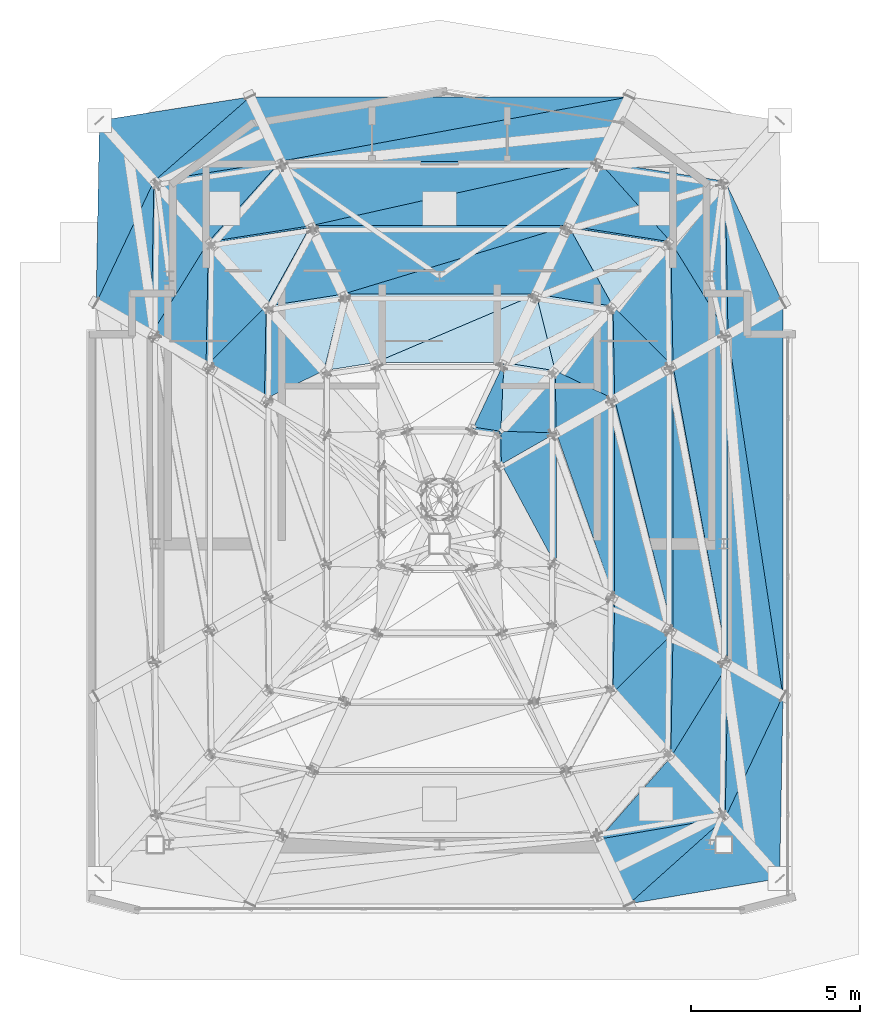
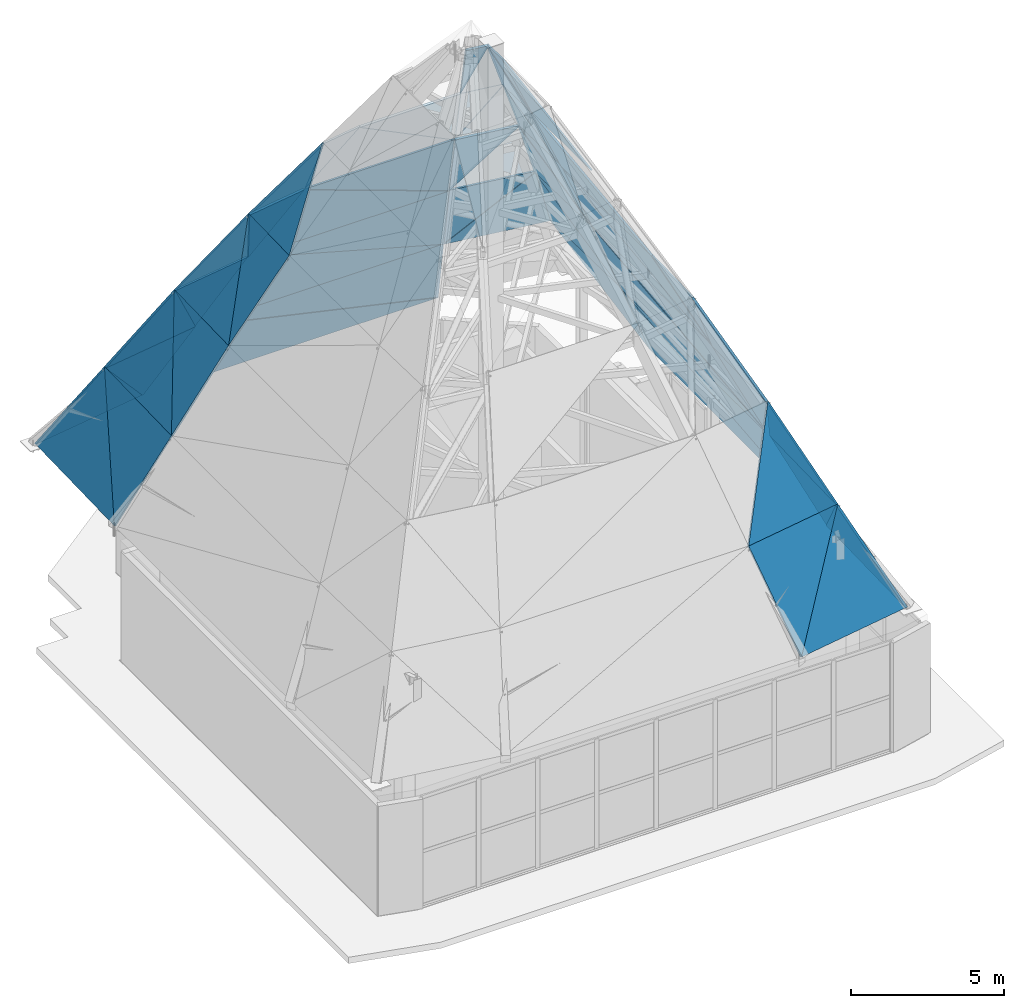
# One storey, part 28 of 30: 57 roofs.
"""IFC4 building model written with IfcOpenShell, lengths in metres."""

import ifcopenshell
import ifcopenshell.guid

model = None  # the IFC model being written
_history = None  # IfcOwnerHistory: only IFC2X3 demands one
_inside = {}  # id of a spatial element -> (the spatial element, [elements in it])
_under = {}  # id of a project, library or spatial element -> (it, [spatial elements below it])
_declared = {}  # id of a project -> (the project, [libraries it declares])
_typed = {}  # id of a type object -> (the type object, [elements of that type])
_made_of = {}  # id of a material, layer set ... -> (it, [elements and type objects made of it])


def new_model(schema):
    """Start an empty IFC model of exactly this schema.

    Asked for "IFC4X3", IfcOpenShell would pick the latest addendum, in which some entities
    have other attributes; the version numbers below select the first issue.
    IFC2X3 requires an IfcOwnerHistory on every rooted entity: one is made here for all.
    """
    global model, _history
    if schema == "IFC4X3":
        model = ifcopenshell.file(schema_version=(4, 3, 0, 0))
    else:
        model = ifcopenshell.file(schema=schema)
    _inside.clear()
    _under.clear()
    _declared.clear()
    _typed.clear()
    _made_of.clear()
    _history = None
    if model.schema == "IFC2X3":
        org = make("IfcOrganization", Name="unknown")
        user = make(
            "IfcPersonAndOrganization",
            ThePerson=make("IfcPerson", FamilyName="unknown"),
            TheOrganization=org,
        )
        app = make(
            "IfcApplication",
            ApplicationDeveloper=org,
            Version="unknown",
            ApplicationFullName="unknown",
            ApplicationIdentifier="unknown",
        )
        _history = make(
            "IfcOwnerHistory",
            OwningUser=user,
            OwningApplication=app,
            ChangeAction="ADDED",
            CreationDate=0,
        )
    return model


def make(cls, **values):
    """One entity of the class cls with the attributes given. An attribute that is None is left unset."""
    return model.create_entity(
        cls, **{name: value for name, value in values.items() if value is not None}
    )


def rooted(cls, **values):
    """An entity with a GlobalId (a new one), such as an element, a storey or a relation."""
    return make(cls, GlobalId=ifcopenshell.guid.new(), OwnerHistory=_history, **values)


def si_unit(unit_type, name, prefix=None):
    """IfcSIUnit, for example si_unit("LENGTHUNIT", "METRE", prefix="MILLI")."""
    return make("IfcSIUnit", UnitType=unit_type, Prefix=prefix, Name=name)


def assignment(units):
    """IfcUnitAssignment: the units of a project."""
    return None if units is None else make("IfcUnitAssignment", Units=units)


def point(xyz):
    """IfcCartesianPoint."""
    return None if xyz is None else make("IfcCartesianPoint", Coordinates=xyz)


def direction(xyz):
    """IfcDirection."""
    return None if xyz is None else make("IfcDirection", DirectionRatios=xyz)


def frame(location, z_axis=None, x_axis=None):
    """IfcAxis2Placement3D, a coordinate frame: its origin and axes. An axis left out is left unset."""
    return make(
        "IfcAxis2Placement3D",
        Location=point(location),
        Axis=direction(z_axis),
        RefDirection=direction(x_axis),
    )


def origin():
    """The frame at (0, 0, 0) with its axes left unset."""
    return frame((0.0, 0.0, 0.0))


def place(relative_to, where):
    """IfcLocalPlacement: puts the frame where relative to a parent placement (None: the world)."""
    return make(
        "IfcLocalPlacement", PlacementRelTo=relative_to, RelativePlacement=where
    )


def context(
    kind, dimensions, precision=None, world=None, true_north=None, identifier=None
):
    """IfcGeometricRepresentationContext, for example the 3D "Model" context."""
    return make(
        "IfcGeometricRepresentationContext",
        ContextIdentifier=identifier,
        ContextType=kind,
        CoordinateSpaceDimension=dimensions,
        Precision=precision,
        WorldCoordinateSystem=world,
        TrueNorth=true_north,
    )


def subcontext(parent, identifier, kind, view, scale=None):
    """IfcGeometricRepresentationSubContext, for example "Body" below "Model"."""
    return make(
        "IfcGeometricRepresentationSubContext",
        ContextIdentifier=identifier,
        ContextType=kind,
        ParentContext=parent,
        TargetScale=scale,
        TargetView=view,
    )


def project(units=None, contexts=None):
    """IfcProject with its units and contexts."""
    return rooted(
        "IfcProject",
        Name="project",
        RepresentationContexts=contexts,
        UnitsInContext=assignment(units),
    )


def spatial(cls, under=None, at=None, **own):
    """A site, building, storey or space (cls), placed at a placement, below another one or the project."""
    s = rooted(cls, ObjectPlacement=at, **own)
    if under is not None:
        _under.setdefault(under.id(), (under, []))[1].append(s)
    return s


def polyline(points):
    """IfcPolyline through the points."""
    return make("IfcPolyline", Points=[point(p) for p in points])


def outline(outer, holes=None, kind="AREA"):
    """IfcArbitraryClosedProfileDef: a profile drawn as a closed curve; with holes, ...WithVoids."""
    if holes is None:
        return make("IfcArbitraryClosedProfileDef", ProfileType=kind, OuterCurve=outer)
    return make(
        "IfcArbitraryProfileDefWithVoids",
        ProfileType=kind,
        OuterCurve=outer,
        InnerCurves=holes,
    )


def extrude(swept, where, along, depth):
    """IfcExtrudedAreaSolid: the profile swept, set in the frame where, extruded along a direction by depth."""
    return make(
        "IfcExtrudedAreaSolid",
        SweptArea=swept,
        Position=where,
        ExtrudedDirection=direction(along),
        Depth=depth,
    )


def shape(context_of_items, identifier, shape_type, items):
    """IfcShapeRepresentation: the items that make up one representation, for example the "Body"."""
    return make(
        "IfcShapeRepresentation",
        ContextOfItems=context_of_items,
        RepresentationIdentifier=identifier,
        RepresentationType=shape_type,
        Items=items,
    )


def material(Name=None, Category=None):
    """IfcMaterial."""
    return make("IfcMaterial", Name=Name, Category=Category)


def layer(
    of_material, thickness, ventilated=None, Name=None, Category=None, Priority=None
):
    """IfcMaterialLayer: one layer of a wall or slab, of a material (None: an air gap)."""
    return make(
        "IfcMaterialLayer",
        Material=of_material,
        LayerThickness=thickness,
        IsVentilated=ventilated,
        Name=Name,
        Category=Category,
        Priority=Priority,
    )


def layer_set(layers, Name=None):
    """IfcMaterialLayerSet."""
    return make("IfcMaterialLayerSet", MaterialLayers=layers, LayerSetName=Name)


def made_of(thing, what):
    """Note that an element or type object is made of a material, layer set ...; save() writes the relation."""
    if what is not None:
        _made_of.setdefault(what.id(), (what, []))[1].append(thing)
    return thing


def type_object(cls, material=None, **own):
    """A type object (cls), such as IfcWallType, which elements share."""
    return made_of(rooted(cls, **own), material)


def element(
    cls,
    number,
    at=None,
    inside=None,
    cuts=None,
    type_object=None,
    material=None,
    context=None,
    identifier="Body",
    shape_type=None,
    held_by="IfcProductDefinitionShape",
    body=None,
    shapes=None,
    **own,
):
    """One element of the class cls, such as IfcWall. Its Tag is "e" and its number.

    at: its placement. inside: the storey or other place that contains it. cuts: it is an
    opening in that element (IfcRelVoidsElement). A single representation is given by context,
    identifier, shape_type and body (its items); several are given by shapes. held_by: the class
    of the entity that holds the representations. save() writes the other relations.
    """
    e = rooted(cls, Tag="e%d" % number, ObjectPlacement=at, **own)
    if body is not None:
        shapes = [shape(context, identifier, shape_type, body)]
    if shapes is not None:
        e.Representation = make(held_by, Representations=shapes)
    if inside is not None:
        _inside.setdefault(inside.id(), (inside, []))[1].append(e)
    if cuts is not None:
        rooted(
            "IfcRelVoidsElement", RelatingBuildingElement=cuts, RelatedOpeningElement=e
        )
    if type_object is not None:
        _typed.setdefault(type_object.id(), (type_object, []))[1].append(e)
    return made_of(e, material)


def aggregate(whole, parts):
    """IfcRelAggregates: a whole, such as a stair, and the parts it consists of."""
    return rooted("IfcRelAggregates", RelatingObject=whole, RelatedObjects=parts)


def save(model, path):
    """Write the relations noted so far, then the file.

    IfcRelAggregates (storeys below a building ...), IfcRelContainedInSpatialStructure (elements
    in a storey), IfcRelDefinesByType, IfcRelAssociatesMaterial and IfcRelDeclares: one each for
    every whole, place, type object, material and project.
    """
    for whole, parts in _under.values():
        aggregate(whole, parts)
    for where, things in _inside.values():
        rooted(
            "IfcRelContainedInSpatialStructure",
            RelatedElements=things,
            RelatingStructure=where,
        )
    for kind, things in _typed.values():
        rooted("IfcRelDefinesByType", RelatedObjects=things, RelatingType=kind)
    for what, things in _made_of.values():
        rooted("IfcRelAssociatesMaterial", RelatedObjects=things, RelatingMaterial=what)
    for by, libraries in _declared.values():
        rooted("IfcRelDeclares", RelatingContext=by, RelatedDefinitions=libraries)
    model.write(path)


model = new_model("IFC4")

# Units and contexts
model_context = context("Model", 3, precision=1e-05, world=origin(), true_north=direction((0.0, 1.0)))
body_context = subcontext(model_context, "Body", "Model", "MODEL_VIEW")
ifc_project = project(units=[si_unit("LENGTHUNIT", "METRE"), si_unit("AREAUNIT", "SQUARE_METRE"), si_unit("VOLUMEUNIT", "CUBIC_METRE"), si_unit("PLANEANGLEUNIT", "RADIAN"), si_unit("MASSUNIT", "GRAM", prefix="KILO")], contexts=[model_context])

# Site, building, storey
site_placement = place(None, origin())
site = spatial("IfcSite", under=ifc_project, at=site_placement, CompositionType="ELEMENT")
building_placement = place(site_placement, origin())
building = spatial("IfcBuilding", under=site, at=building_placement, Name="Haolan Belvedere Tower", CompositionType="ELEMENT")
storey_placement = place(building_placement, frame((0.0, 0.0, 333.0)))
storey = spatial("IfcBuildingStorey", under=building, at=storey_placement, Name="L83", CompositionType="ELEMENT", Elevation=333.0)

# Roofs
ifc_material_1 = material(Name="Double Low-E fritted laminated crown glazing", Category="glass")
ifc_layer_1 = layer(ifc_material_1, 0.06005859375, Name="Double Low-E fritted laminated crown glazing")
ifc_layer_set_1 = layer_set([ifc_layer_1], Name="Double Low-E fritted laminated crown glazing")
roof_type_1 = type_object("IfcRoofType", Name="ROOF-CRN-GLZ", PredefinedType="GABLE_ROOF", material=ifc_layer_set_1)
roof_1_placement = place(storey_placement, frame((44.0, 24.64990234375, 4.800048828125), z_axis=(0.144691980462, -0.858496330688, 0.491984025132), x_axis=(0.986092537414, 0.166197195092, 0.0)))
element("IfcRoof", 1, at=roof_1_placement, inside=storey, type_object=roof_type_1, Name="Crown glass-point glazed facet T1-03.1", PredefinedType="GABLE_ROOF", context=body_context, shape_type="SweptSolid", body=[
    extrude(outline(polyline([(0.0, 0.0), (4.512711538761556, 0.0), (3.2249874080398793, 4.134890925737667), (0.0, 0.0)])), origin(), (0.0, 0.0, -1.0), 0.06005859375),
])
roof_2_placement = place(storey_placement, frame((48.550048828125, 30.800048828125, 4.800048828125), z_axis=(0.909769531559, -0.016843956881, 0.414771841576), x_axis=(-0.400322326552, 0.228747017923, 0.887365108991)))
element("IfcRoof", 2, at=roof_2_placement, inside=storey, type_object=roof_type_1, Name="Crown glass-point glazed facet T1-04.2", PredefinedType="GABLE_ROOF", context=body_context, shape_type="SweptSolid", body=[
    extrude(outline(polyline([(0.0, 0.0), (4.056789566266479, 1.1102230246251565e-16), (3.0527835328980055, 4.424423821566261), (0.0, 0.0)])), origin(), (0.0, 0.0, -1.0), 0.06005859375),
])
roof_3_placement = place(storey_placement, frame((48.550048828125, 30.800048828125, 4.800048828125), z_axis=(0.911533600006, 0.0, 0.41122560239), x_axis=(0.0, 1.0, 0.0)))
element("IfcRoof", 3, at=roof_3_placement, inside=storey, type_object=roof_type_1, Name="Crown glass-point glazed facet T1-05.1", PredefinedType="GABLE_ROOF", context=body_context, shape_type="SweptSolid", body=[
    extrude(outline(polyline([(0.0, 0.0), (11.599853515625, 0.0), (10.671875, 3.949227450971518), (0.0, 0.0)])), origin(), (0.0, 0.0, -1.0), 0.06005859375),
])
roof_4_placement = place(storey_placement, frame((48.550048828125, 42.39990234375, 4.800048828125), z_axis=(0.909769531559, 0.016843956881, 0.414771841576), x_axis=(-0.317744763739, 0.671233542496, 0.669689328379)))
element("IfcRoof", 4, at=roof_4_placement, inside=storey, type_object=roof_type_1, Name="Crown glass-point glazed facet T1-06.2", PredefinedType="GABLE_ROOF", context=body_context, shape_type="SweptSolid", body=[
    extrude(outline(polyline([(0.0, 0.0), (5.375408212552442, 4.440892098500626e-16), (2.303918120192426, 3.33908713279806), (0.0, 0.0)])), origin(), (0.0, 0.0, -1.0), 0.06005859375),
])
roof_5_placement = place(storey_placement, frame((44.0, 48.5, 4.800048828125), z_axis=(0.0, 0.883965758741, 0.467551641398), x_axis=(-0.929999796388, -0.171853297288, 0.324910484486)))
element("IfcRoof", 5, at=roof_5_placement, inside=storey, type_object=roof_type_1, Name="Crown glass-point glazed facet T1-08.2", PredefinedType="GABLE_ROOF", context=body_context, shape_type="SweptSolid", body=[
    extrude(outline(polyline([(0.0, 0.0), (11.079524015103562, -8.881784197001252e-16), (2.330124075205838, 3.457989725751073), (0.0, 0.0)])), origin(), (0.0, 0.0, -1.0), 0.06005859375),
])
roof_6_placement = place(storey_placement, frame((32.800048828125, 48.5, 4.800048828125), z_axis=(-0.135506498548, 0.861484809568, 0.489368891262), x_axis=(-0.987854198714, -0.155383660927, 0.0)))
element("IfcRoof", 6, at=roof_6_placement, inside=storey, type_object=roof_type_1, Name="Crown glass-point glazed facet T1-09.1", PredefinedType="GABLE_ROOF", context=body_context, shape_type="SweptSolid", body=[
    extrude(outline(polyline([(0.0, 0.0), (4.504663924765183, -5.551115123125783e-17), (3.194729432204671, 4.1279084328253735), (0.0, 0.0)])), origin(), (0.0, 0.0, -1.0), 0.06005859375),
])
roof_7_placement = place(storey_placement, frame((28.25, 42.39990234375, 4.800048828125), z_axis=(-0.909769531559, 0.016843956881, 0.414771841576), x_axis=(0.400322326552, -0.228747017923, 0.887365108991)))
element("IfcRoof", 7, at=roof_7_placement, inside=storey, type_object=roof_type_1, Name="Crown glass-point glazed facet T1-10.2", PredefinedType="GABLE_ROOF", context=body_context, shape_type="SweptSolid", body=[
    extrude(outline(polyline([(0.0, 0.0), (4.056789566266479, 1.1102230246251565e-16), (3.0527835328980055, 4.424423821566261), (0.0, 0.0)])), origin(), (0.0, 0.0, -1.0), 0.06005859375),
])
roof_8_placement = place(storey_placement, frame((46.842041015625, 27.19189453125, 8.39990234375), z_axis=(0.909767971295, -0.016843927994, 0.414775265048), x_axis=(0.018511359292, 0.999828650108, 0.0)))
element("IfcRoof", 8, at=roof_8_placement, inside=storey, type_object=roof_type_1, Name="Crown glass-point glazed facet T2-04.1", PredefinedType="GABLE_ROOF", context=body_context, shape_type="SweptSolid", body=[
    extrude(outline(polyline([(0.0, 0.0), (4.536910211573875, 6.938893903907228e-18), (1.7619160078468372, 3.9564821948858016), (0.0, 0.0)])), origin(), (0.0, 0.0, -1.0), 0.06005859375),
])
roof_9_placement = place(storey_placement, frame((46.926025390625, 31.72802734375, 8.39990234375), z_axis=(0.911544053259, 0.0, 0.411202430644), x_axis=(-0.168115697545, 0.912606409853, 0.372674996391)))
element("IfcRoof", 9, at=roof_9_placement, inside=storey, type_object=roof_type_1, Name="Crown glass-point glazed facet T2-05.2", PredefinedType="GABLE_ROOF", context=body_context, shape_type="SweptSolid", body=[
    extrude(outline(polyline([(0.0, 0.0), (9.660153461090314, 4.440892098500626e-16), (2.461569355639881, 3.224899330664804), (0.0, 0.0)])), origin(), (0.0, 0.0, -1.0), 0.06005859375),
])
roof_10_placement = place(storey_placement, frame((46.926025390625, 41.471923828125, 8.39990234375), z_axis=(0.909767971295, 0.016843927994, 0.414775265048), x_axis=(-0.018511359292, 0.999828650108, 0.0)))
element("IfcRoof", 10, at=roof_10_placement, inside=storey, type_object=roof_type_1, Name="Crown glass-point glazed facet T2-06.1", PredefinedType="GABLE_ROOF", context=body_context, shape_type="SweptSolid", body=[
    extrude(outline(polyline([(0.0, 0.0), (4.536910211573875, -6.938893903907228e-18), (2.774994203727038, 3.9564821948858016), (0.0, 0.0)])), origin(), (0.0, 0.0, -1.0), 0.06005859375),
])
roof_11_placement = place(storey_placement, frame((43.10400390625, 46.595947265625, 8.39990234375), z_axis=(0.135473650149, 0.861498419677, 0.489354026252), x_axis=(-0.214866989905, -0.456606990264, 0.863332052626)))
element("IfcRoof", 11, at=roof_11_placement, inside=storey, type_object=roof_type_1, Name="Crown glass-point glazed facet T2-07.2", PredefinedType="GABLE_ROOF", context=body_context, shape_type="SweptSolid", body=[
    extrude(outline(polyline([(0.0, 0.0), (4.170003471201543, 1.1102230246251565e-16), (3.73710931864857, 3.0323192561507413), (0.0, 0.0)])), origin(), (0.0, 0.0, -1.0), 0.06005859375),
])
roof_12_placement = place(storey_placement, frame((43.10400390625, 46.595947265625, 8.39990234375), z_axis=(0.0, 0.883978863085, 0.46752686513), x_axis=(-1.0, 0.0, 0.0)))
element("IfcRoof", 12, at=roof_12_placement, inside=storey, type_object=roof_type_1, Name="Crown glass-point glazed facet T2-08.1", PredefinedType="GABLE_ROOF", context=body_context, shape_type="SweptSolid", body=[
    extrude(outline(polyline([(0.0, 0.0), (9.407958984375, 0.0), (8.511962890625, 4.072606039112752), (0.0, 0.0)])), origin(), (0.0, 0.0, -1.0), 0.06005859375),
])
roof_13_placement = place(storey_placement, frame((33.696044921875, 46.595947265625, 8.39990234375), z_axis=(-0.135463101338, 0.861500842016, 0.489352682001), x_axis=(-0.442606297286, -0.494501568589, 0.748042688799)))
element("IfcRoof", 13, at=roof_13_placement, inside=storey, type_object=roof_type_1, Name="Crown glass-point glazed facet T2-09.2", PredefinedType="GABLE_ROOF", context=body_context, shape_type="SweptSolid", body=[
    extrude(outline(polyline([(0.0, 0.0), (4.812690118031624, 2.220446049250313e-16), (3.23801028110895, 2.6275879374943205), (0.0, 0.0)])), origin(), (0.0, 0.0, -1.0), 0.06005859375),
])
roof_14_placement = place(storey_placement, frame((29.9580078125, 46.008056640625, 8.39990234375), z_axis=(-0.909791251365, 0.016844359013, 0.414724181246), x_axis=(-0.018511359292, -0.999828650108, 0.0)))
element("IfcRoof", 14, at=roof_14_placement, inside=storey, type_object=roof_type_1, Name="Crown glass-point glazed facet T2-10.1", PredefinedType="GABLE_ROOF", context=body_context, shape_type="SweptSolid", body=[
    extrude(outline(polyline([(0.0, 0.0), (4.536910211573875, 0.0), (1.7619205272216643, 3.956380954979514), (0.0, 0.0)])), origin(), (0.0, 0.0, -1.0), 0.06005859375),
])
roof_15_placement = place(storey_placement, frame((45.302001953125, 32.656005859375, 12.0), z_axis=(0.89985060548, -0.016671285927, 0.4358795201), x_axis=(-0.419619489934, 0.23979104695, 0.875454017907)))
element("IfcRoof", 15, at=roof_15_placement, inside=storey, type_object=roof_type_1, Name="Crown glass-point glazed facet T3-04.2", PredefinedType="GABLE_ROOF", context=body_context, shape_type="SweptSolid", body=[
    extrude(outline(polyline([(0.0, 0.0), (4.1122635599479, 1.1102230246251565e-16), (3.473254202709423, 2.679480361195048), (0.0, 0.0)])), origin(), (0.0, 0.0, -1.0), 0.06005859375),
])
roof_16_placement = place(storey_placement, frame((45.302001953125, 32.656005859375, 12.0), z_axis=(0.901763395414, 0.0, 0.432230006699), x_axis=(0.0, 1.0, 0.0)))
element("IfcRoof", 16, at=roof_16_placement, inside=storey, type_object=roof_type_1, Name="Crown glass-point glazed facet T3-05.1", PredefinedType="GABLE_ROOF", context=body_context, shape_type="SweptSolid", body=[
    extrude(outline(polyline([(0.0, 0.0), (7.887939453125, 0.0), (6.902099609375, 3.9922863076481), (0.0, 0.0)])), origin(), (0.0, 0.0, -1.0), 0.06005859375),
])
roof_17_placement = place(storey_placement, frame((45.302001953125, 40.5439453125, 12.0), z_axis=(0.899850868003, 0.016672768742, 0.435878921418), x_axis=(-0.404999790363, 0.403051873273, 0.820685297332)))
element("IfcRoof", 17, at=roof_17_placement, inside=storey, type_object=roof_type_1, Name="Crown glass-point glazed facet T3-06.2", PredefinedType="GABLE_ROOF", context=body_context, shape_type="SweptSolid", body=[
    extrude(outline(polyline([(0.0, 0.0), (4.386696908001351, 0.0), (3.256064562614847, 2.511627704068282), (0.0, 0.0)])), origin(), (0.0, 0.0, -1.0), 0.06005859375),
])
roof_18_placement = place(storey_placement, frame((45.23388671875, 44.216064453125, 12.0), z_axis=(0.133430549378, 0.848506017953, 0.512087713181), x_axis=(-0.987860356413, 0.155344508201, 0.0)))
element("IfcRoof", 18, at=roof_18_placement, inside=storey, type_object=roof_type_1, Name="Crown glass-point glazed facet T3-07.1", PredefinedType="GABLE_ROOF", context=body_context, shape_type="SweptSolid", body=[
    extrude(outline(polyline([(0.0, 0.0), (3.06306340426331, 0.0), (1.3919714244904187, 4.1913594937178535), (0.0, 0.0)])), origin(), (0.0, 0.0, -1.0), 0.06005859375),
])
roof_19_placement = place(storey_placement, frame((42.2080078125, 44.69189453125, 12.0), z_axis=(0.0, 0.871793337894, 0.489873836823), x_axis=(-0.850027639676, -0.258035207443, 0.45920675464)))
element("IfcRoof", 19, at=roof_19_placement, inside=storey, type_object=roof_type_1, Name="Crown glass-point glazed facet T3-08.2", PredefinedType="GABLE_ROOF", context=body_context, shape_type="SweptSolid", body=[
    extrude(outline(polyline([(0.0, 0.0), (7.839818599947592, 0.0), (2.984326245090408, 3.0088112817941335), (0.0, 0.0)])), origin(), (0.0, 0.0, -1.0), 0.06005859375),
])
roof_20_placement = place(storey_placement, frame((34.592041015625, 44.69189453125, 12.0), z_axis=(-0.13342032518, 0.848509456444, 0.512084679671), x_axis=(-0.987862279613, -0.155332277771, 0.0)))
element("IfcRoof", 20, at=roof_20_placement, inside=storey, type_object=roof_type_1, Name="Crown glass-point glazed facet T3-09.1", PredefinedType="GABLE_ROOF", context=body_context, shape_type="SweptSolid", body=[
    extrude(outline(polyline([(0.0, 0.0), (3.063304581342913, 0.0), (1.671306583686513, 4.191350668543166), (0.0, 0.0)])), origin(), (0.0, 0.0, -1.0), 0.06005859375),
])
roof_21_placement = place(storey_placement, frame((31.498046875, 40.5439453125, 12.0), z_axis=(-0.899874802243, 0.016673212205, 0.435829489918), x_axis=(0.419576545649, -0.239741062874, 0.875488289535)))
element("IfcRoof", 21, at=roof_21_placement, inside=storey, type_object=roof_type_1, Name="Crown glass-point glazed facet T3-10.2", PredefinedType="GABLE_ROOF", context=body_context, shape_type="SweptSolid", body=[
    extrude(outline(polyline([(0.0, 0.0), (4.1121025823908655, 0.0), (3.473287228098891, 2.6792756796190864), (0.0, 0.0)])), origin(), (0.0, 0.0, -1.0), 0.06005859375),
])
roof_22_placement = place(storey_placement, frame((43.576416015625, 39.55810546875, 15.60009765625), z_axis=(0.889671545644, 0.016484162504, 0.45630342236), x_axis=(-0.018525189214, 0.999828393958, 0.0)))
element("IfcRoof", 22, at=roof_22_placement, inside=storey, type_object=roof_type_1, Name="Crown glass-point glazed facet T4-06.1", PredefinedType="GABLE_ROOF", context=body_context, shape_type="SweptSolid", body=[
    extrude(outline(polyline([(0.0, 0.0), (2.7543789180643787, 3.469446951953614e-18), (0.882303144051538, 3.8208695294436437), (0.0, 0.0)])), origin(), (0.0, 0.0, -1.0), 0.06005859375),
])
roof_23_placement = place(storey_placement, frame((41.256103515625, 42.6689453125, 15.60009765625), z_axis=(0.131424485337, 0.835320549369, 0.533823177143), x_axis=(-0.233990104861, -0.497138976636, 0.835524666743)))
element("IfcRoof", 23, at=roof_23_placement, inside=storey, type_object=roof_type_1, Name="Crown glass-point glazed facet T4-07.2", PredefinedType="GABLE_ROOF", context=body_context, shape_type="SweptSolid", body=[
    extrude(outline(polyline([(0.0, 0.0), (4.069182489851207, 5.551115123125783e-17), (3.8335071535218024, 1.5133091521919113), (0.0, 0.0)])), origin(), (0.0, 0.0, -1.0), 0.06005859375),
])
roof_24_placement = place(storey_placement, frame((41.256103515625, 42.6689453125, 15.60009765625), z_axis=(0.0, 0.859381988827, 0.511334134671), x_axis=(-1.0, 0.0, 0.0)))
element("IfcRoof", 24, at=roof_24_placement, inside=storey, type_object=roof_type_1, Name="Crown glass-point glazed facet T4-08.1", PredefinedType="GABLE_ROOF", context=body_context, shape_type="SweptSolid", body=[
    extrude(outline(polyline([(0.0, 0.0), (5.712158203125, 0.0), (4.760009765625, 3.95621782624238), (0.0, 0.0)])), origin(), (0.0, 0.0, -1.0), 0.06005859375),
])
roof_25_placement = place(storey_placement, frame((35.5439453125, 42.6689453125, 15.60009765625), z_axis=(-0.131404063715, 0.83532552503, 0.533820418561), x_axis=(-0.13612645279, -0.54859315896, 0.824933412339)))
element("IfcRoof", 25, at=roof_25_placement, inside=storey, type_object=roof_type_1, Name="Crown glass-point glazed facet T4-09.2", PredefinedType="GABLE_ROOF", context=body_context, shape_type="SweptSolid", body=[
    extrude(outline(polyline([(0.0, 0.0), (4.12142639987097, 1.1102230246251565e-16), (3.7848565550519115, 1.4943583885374507), (0.0, 0.0)])), origin(), (0.0, 0.0, -1.0), 0.06005859375),
])
roof_26_placement = place(storey_placement, frame((33.2744140625, 42.31201171875, 15.60009765625), z_axis=(-0.889671545644, 0.016484162504, 0.45630342236), x_axis=(-0.018525189214, -0.999828393958, 0.0)))
element("IfcRoof", 26, at=roof_26_placement, inside=storey, type_object=roof_type_1, Name="Crown glass-point glazed facet T4-10.1", PredefinedType="GABLE_ROOF", context=body_context, shape_type="SweptSolid", body=[
    extrude(outline(polyline([(0.0, 0.0), (2.7543789180643787, -3.469446951953614e-18), (1.8720757740128409, 3.8208695294436437), (0.0, 0.0)])), origin(), (0.0, 0.0, -1.0), 0.06005859375),
])
roof_27_placement = place(storey_placement, frame((41.85107421875, 34.6279296875, 19.0), z_axis=(0.89173055732, 0.0, 0.452566694689), x_axis=(0.0, 1.0, 0.0)))
element("IfcRoof", 27, at=roof_27_placement, inside=storey, type_object=roof_type_1, Name="Crown glass-point glazed facet T5-05.1", PredefinedType="GABLE_ROOF", context=body_context, shape_type="SweptSolid", body=[
    extrude(outline(polyline([(0.0, 0.0), (3.944091796875, 0.0), (3.01611328125, 3.5884731610997878), (0.0, 0.0)])), origin(), (0.0, 0.0, -1.0), 0.06005859375),
])
roof_28_placement = place(storey_placement, frame((41.85107421875, 38.572021484375, 19.0), z_axis=(0.889665029011, 0.016537355475, 0.456314203185), x_axis=(-0.456522342157, 0.012217368657, 0.889628061054)))
element("IfcRoof", 28, at=roof_28_placement, inside=storey, type_object=roof_type_1, Name="Crown glass-point glazed facet T5-06.2", PredefinedType="GABLE_ROOF", context=body_context, shape_type="SweptSolid", body=[
    extrude(outline(polyline([(0.0, 0.0), (3.596953954086959, 6.938893903907228e-18), (3.5768318842764466, 0.971883442095031), (0.0, 0.0)])), origin(), (0.0, 0.0, -1.0), 0.06005859375),
])
roof_29_placement = place(storey_placement, frame((41.81689453125, 40.407958984375, 19.0), z_axis=(0.131424516865, 0.835320749754, 0.533822855822), x_axis=(-0.98784812212, 0.155422288053, 0.0)))
element("IfcRoof", 29, at=roof_29_placement, inside=storey, type_object=roof_type_1, Name="Crown glass-point glazed facet T5-07.1", PredefinedType="GABLE_ROOF", context=body_context, shape_type="SweptSolid", body=[
    extrude(outline(polyline([(0.0, 0.0), (1.5315506698316514, 0.0), (1.3098555024342995, 3.784253841348346), (0.0, 0.0)])), origin(), (0.0, 0.0, -1.0), 0.06005859375),
])
ifc_material_2 = material(Name="Anodised pale-metal aluminium and laminated Low-E crown glass", Category="aluminium")
ifc_layer_2 = layer(ifc_material_2, 0.080078125, Name="Anodised pale-metal aluminium and laminated Low-E crown glass")
ifc_layer_set_2 = layer_set([ifc_layer_2], Name="Anodised pale-metal aluminium and laminated Low-E crown glass")
roof_type_2 = type_object("IfcRoofType", Name="ROOF-CRN-HIP", PredefinedType="HIP_ROOF", material=ifc_layer_set_2)
roof_30_placement = place(storey_placement, frame((44.0, 24.64990234375, 4.800048828125), z_axis=(0.144660986898, -0.858490066048, 0.492004070478), x_axis=(0.541976978826, 0.484757692942, 0.686491757821)))
element("IfcRoof", 30, at=roof_30_placement, inside=storey, type_object=roof_type_2, Name="Crown glass-point sloped hip facet T1-03.2", PredefinedType="HIP_ROOF", context=body_context, shape_type="SweptSolid", body=[
    extrude(outline(polyline([(0.0, 0.0), (5.243840839476679, 6.661338147750939e-16), (2.9125702411860583, 2.989122143053577), (0.0, 0.0)])), origin(), (0.0, 0.0, -1.0), 0.080078125),
])
roof_31_placement = place(storey_placement, frame((48.449951171875, 25.39990234375, 4.800048828125), z_axis=(0.909776652082, -0.016863711169, 0.414755420183), x_axis=(0.018532916624, 0.999828250752, 0.0)))
element("IfcRoof", 31, at=roof_31_placement, inside=storey, type_object=roof_type_2, Name="Crown glass-point sloped hip facet T1-04.1", PredefinedType="HIP_ROOF", context=body_context, shape_type="SweptSolid", body=[
    extrude(outline(polyline([(0.0, 0.0), (5.401074114793688, 0.0), (1.7618851493242087, 3.956174556965531), (0.0, 0.0)])), origin(), (0.0, 0.0, -1.0), 0.080078125),
])
roof_32_placement = place(storey_placement, frame((48.550048828125, 30.800048828125, 4.800048828125), z_axis=(0.911533600006, 0.0, 0.41122560239), x_axis=(-0.142719079619, 0.937843717422, 0.316354905138)))
element("IfcRoof", 32, at=roof_32_placement, inside=storey, type_object=roof_type_2, Name="Crown glass-point sloped hip facet T1-05.2", PredefinedType="HIP_ROOF", context=body_context, shape_type="SweptSolid", body=[
    extrude(outline(polyline([(0.0, 0.0), (11.37916136958836, 0.0), (2.2409092685065763, 3.3816959111206155), (0.0, 0.0)])), origin(), (0.0, 0.0, -1.0), 0.080078125),
])
roof_33_placement = place(storey_placement, frame((44.0, 48.5, 4.800048828125), z_axis=(0.0, 0.883965758741, 0.467551641398), x_axis=(-1.0, 0.0, 0.0)))
element("IfcRoof", 33, at=roof_33_placement, inside=storey, type_object=roof_type_2, Name="Crown glass-point sloped hip facet T1-08.1", PredefinedType="HIP_ROOF", context=body_context, shape_type="SweptSolid", body=[
    extrude(outline(polyline([(0.0, 0.0), (11.199951171875, 0.0), (10.303955078125, 4.07239022556024), (0.0, 0.0)])), origin(), (0.0, 0.0, -1.0), 0.080078125),
])
roof_34_placement = place(storey_placement, frame((32.800048828125, 48.5, 4.800048828125), z_axis=(-0.135487280332, 0.861480792839, 0.489381283294), x_axis=(-0.544477038353, -0.477405474656, 0.689658442618)))
element("IfcRoof", 34, at=roof_34_placement, inside=storey, type_object=roof_type_2, Name="Crown glass-point sloped hip facet T1-09.2", PredefinedType="HIP_ROOF", context=body_context, shape_type="SweptSolid", body=[
    extrude(outline(polyline([(0.0, 0.0), (5.21976284660382, -6.661338147750939e-16), (2.903825269162927, 2.992485581489859), (0.0, 0.0)])), origin(), (0.0, 0.0, -1.0), 0.080078125),
])
roof_35_placement = place(storey_placement, frame((28.35009765625, 47.800048828125, 4.800048828125), z_axis=(-0.909776652082, 0.016863711169, 0.414755420183), x_axis=(-0.018532916624, -0.999828250752, 0.0)))
element("IfcRoof", 35, at=roof_35_placement, inside=storey, type_object=roof_type_2, Name="Crown glass-point sloped hip facet T1-10.1", PredefinedType="HIP_ROOF", context=body_context, shape_type="SweptSolid", body=[
    extrude(outline(polyline([(0.0, 0.0), (5.401074114793688, 0.0), (1.7618851493242087, 3.956174556965531), (0.0, 0.0)])), origin(), (0.0, 0.0, -1.0), 0.080078125),
])
roof_36_placement = place(storey_placement, frame((43.10400390625, 26.56201171875, 8.39990234375), z_axis=(0.144665297111, -0.858515644987, 0.491958168064), x_axis=(0.986098172508, 0.166163757107, 0.0)))
element("IfcRoof", 36, at=roof_36_placement, inside=storey, type_object=roof_type_2, Name="Crown glass-point sloped hip facet T2-03.1", PredefinedType="HIP_ROOF", context=body_context, shape_type="SweptSolid", body=[
    extrude(outline(polyline([(0.0, 0.0), (3.7907352569847865, 0.0), (2.502701398307254, 4.1351019523169645), (0.0, 0.0)])), origin(), (0.0, 0.0, -1.0), 0.080078125),
])
roof_37_placement = place(storey_placement, frame((46.926025390625, 31.72802734375, 8.39990234375), z_axis=(0.909776583695, -0.016875717496, 0.414755081849), x_axis=(-0.400300949409, 0.228734802872, 0.88737790138)))
element("IfcRoof", 37, at=roof_37_placement, inside=storey, type_object=roof_type_2, Name="Crown glass-point sloped hip facet T2-04.2", PredefinedType="HIP_ROOF", context=body_context, shape_type="SweptSolid", body=[
    extrude(outline(polyline([(0.0, 0.0), (4.057006209700404, 0.0), (3.2443313549377324, 3.5817116367087567), (0.0, 0.0)])), origin(), (0.0, 0.0, -1.0), 0.080078125),
])
roof_38_placement = place(storey_placement, frame((46.926025390625, 31.72802734375, 8.39990234375), z_axis=(0.911544053259, 0.0, 0.411202430644), x_axis=(0.0, 1.0, 0.0)))
element("IfcRoof", 38, at=roof_38_placement, inside=storey, type_object=roof_type_2, Name="Crown glass-point sloped hip facet T2-05.1", PredefinedType="HIP_ROOF", context=body_context, shape_type="SweptSolid", body=[
    extrude(outline(polyline([(0.0, 0.0), (9.743896484375, 0.0), (8.81591796875, 3.949449994630399), (0.0, 0.0)])), origin(), (0.0, 0.0, -1.0), 0.080078125),
])
roof_39_placement = place(storey_placement, frame((46.926025390625, 41.471923828125, 8.39990234375), z_axis=(0.909776583695, 0.016875717496, 0.414755081849), x_axis=(-0.35014837298, 0.56783548006, 0.744955692968)))
element("IfcRoof", 39, at=roof_39_placement, inside=storey, type_object=roof_type_2, Name="Crown glass-point sloped hip facet T2-06.2", PredefinedType="HIP_ROOF", context=body_context, shape_type="SweptSolid", body=[
    extrude(outline(polyline([(0.0, 0.0), (4.832633256224501, 4.440892098500626e-16), (2.723623282680288, 3.0068547686227705), (0.0, 0.0)])), origin(), (0.0, 0.0, -1.0), 0.080078125),
])
roof_40_placement = place(storey_placement, frame((46.842041015625, 46.008056640625, 8.39990234375), z_axis=(0.135490394852, 0.861500596171, 0.489345558578), x_axis=(-0.987857469961, 0.155362862495, 0.0)))
element("IfcRoof", 40, at=roof_40_placement, inside=storey, type_object=roof_type_2, Name="Crown glass-point sloped hip facet T2-07.1", PredefinedType="HIP_ROOF", context=body_context, shape_type="SweptSolid", body=[
    extrude(outline(polyline([(0.0, 0.0), (3.783984251820758, 0.0), (1.3102181991982471, 4.12812640887425), (0.0, 0.0)])), origin(), (0.0, 0.0, -1.0), 0.080078125),
])
roof_41_placement = place(storey_placement, frame((43.10400390625, 46.595947265625, 8.39990234375), z_axis=(0.0, 0.883978863085, 0.46752686513), x_axis=(-0.902065436821, -0.201784263352, 0.381524650261)))
element("IfcRoof", 41, at=roof_41_placement, inside=storey, type_object=roof_type_2, Name="Crown glass-point sloped hip facet T2-08.2", PredefinedType="HIP_ROOF", context=body_context, shape_type="SweptSolid", body=[
    extrude(outline(polyline([(0.0, 0.0), (9.436081400729583, -4.440892098500626e-16), (2.5659809852944377, 3.287045867179267), (0.0, 0.0)])), origin(), (0.0, 0.0, -1.0), 0.080078125),
])
roof_42_placement = place(storey_placement, frame((33.696044921875, 46.595947265625, 8.39990234375), z_axis=(-0.135491004048, 0.861504469678, 0.489338570467), x_axis=(-0.987857469961, -0.155362862495, 0.0)))
element("IfcRoof", 42, at=roof_42_placement, inside=storey, type_object=roof_type_2, Name="Crown glass-point sloped hip facet T2-09.1", PredefinedType="HIP_ROOF", context=body_context, shape_type="SweptSolid", body=[
    extrude(outline(polyline([(0.0, 0.0), (3.783984251820758, 0.0), (2.474007228762638, 4.128107847940685), (0.0, 0.0)])), origin(), (0.0, 0.0, -1.0), 0.080078125),
])
roof_43_placement = place(storey_placement, frame((29.8740234375, 41.471923828125, 8.39990234375), z_axis=(-0.909783393779, 0.016815356922, 0.414742595082), x_axis=(0.400300949409, -0.228734802872, 0.88737790138)))
element("IfcRoof", 43, at=roof_43_placement, inside=storey, type_object=roof_type_2, Name="Crown glass-point sloped hip facet T2-10.2", PredefinedType="HIP_ROOF", context=body_context, shape_type="SweptSolid", body=[
    extrude(outline(polyline([(0.0, 0.0), (4.057006209700404, 0.0), (3.244233625213756, 3.581684826198168), (0.0, 0.0)])), origin(), (0.0, 0.0, -1.0), 0.080078125),
])
roof_44_placement = place(storey_placement, frame((45.23388671875, 28.98388671875, 12.0), z_axis=(0.899854213168, -0.016691664482, 0.435871292218), x_axis=(0.018546108218, 0.999828006144, 0.0)))
element("IfcRoof", 44, at=roof_44_placement, inside=storey, type_object=roof_type_2, Name="Crown glass-point sloped hip facet T3-04.1", PredefinedType="HIP_ROOF", context=body_context, shape_type="SweptSolid", body=[
    extrude(outline(polyline([(0.0, 0.0), (3.6727508312024724, -3.469446951953614e-18), (1.8720392955577057, 4.00006846542212), (0.0, 0.0)])), origin(), (0.0, 0.0, -1.0), 0.080078125),
])
roof_45_placement = place(storey_placement, frame((45.302001953125, 32.656005859375, 12.0), z_axis=(0.901763395414, 0.0, 0.432230006699), x_axis=(-0.216414050577, 0.865625583455, 0.451505601274)))
element("IfcRoof", 45, at=roof_45_placement, inside=storey, type_object=roof_type_2, Name="Crown glass-point sloped hip facet T3-05.2", PredefinedType="HIP_ROOF", context=body_context, shape_type="SweptSolid", body=[
    extrude(outline(polyline([(0.0, 0.0), (7.973539300710133, 0.0), (2.852484823593268, 2.962100929685796), (0.0, 0.0)])), origin(), (0.0, 0.0, -1.0), 0.080078125),
])
roof_46_placement = place(storey_placement, frame((45.302001953125, 40.5439453125, 12.0), z_axis=(0.899854213168, 0.016691664482, 0.435871292218), x_axis=(-0.018546108218, 0.999828006144, 0.0)))
element("IfcRoof", 46, at=roof_46_placement, inside=storey, type_object=roof_type_2, Name="Crown glass-point sloped hip facet T3-06.1", PredefinedType="HIP_ROOF", context=body_context, shape_type="SweptSolid", body=[
    extrude(outline(polyline([(0.0, 0.0), (3.6727508312024724, 3.469446951953614e-18), (1.8007115356447667, 4.00006846542212), (0.0, 0.0)])), origin(), (0.0, 0.0, -1.0), 0.080078125),
])
roof_47_placement = place(storey_placement, frame((42.2080078125, 44.69189453125, 12.0), z_axis=(0.133460764456, 0.848507390983, 0.512077564241), x_axis=(-0.224621031283, -0.477355697668, 0.849515703333)))
element("IfcRoof", 47, at=roof_47_placement, inside=storey, type_object=roof_type_2, Name="Crown glass-point sloped hip facet T3-07.2", PredefinedType="HIP_ROOF", context=body_context, shape_type="SweptSolid", body=[
    extrude(outline(polyline([(0.0, 0.0), (4.237823553026608, -1.1102230246251565e-16), (3.898478226908004, 2.271983786201894), (0.0, 0.0)])), origin(), (0.0, 0.0, -1.0), 0.080078125),
])
roof_48_placement = place(storey_placement, frame((42.2080078125, 44.69189453125, 12.0), z_axis=(0.0, 0.871793337894, 0.489873836823), x_axis=(-1.0, 0.0, 0.0)))
element("IfcRoof", 48, at=roof_48_placement, inside=storey, type_object=roof_type_2, Name="Crown glass-point sloped hip facet T3-08.1", PredefinedType="HIP_ROOF", context=body_context, shape_type="SweptSolid", body=[
    extrude(outline(polyline([(0.0, 0.0), (7.615966796875, 0.0), (6.6640625, 4.129531047973605), (0.0, 0.0)])), origin(), (0.0, 0.0, -1.0), 0.080078125),
])
roof_49_placement = place(storey_placement, frame((34.592041015625, 44.69189453125, 12.0), z_axis=(-0.133446922747, 0.848510666114, 0.512075744691), x_axis=(-0.292009019221, -0.527423368422, 0.797844172214)))
element("IfcRoof", 49, at=roof_49_placement, inside=storey, type_object=roof_type_2, Name="Crown glass-point sloped hip facet T3-09.2", PredefinedType="HIP_ROOF", context=body_context, shape_type="SweptSolid", body=[
    extrude(outline(polyline([(0.0, 0.0), (4.512281698140213, 2.220446049250313e-16), (3.6613029854167602, 2.134012398175181), (0.0, 0.0)])), origin(), (0.0, 0.0, -1.0), 0.080078125),
])
roof_50_placement = place(storey_placement, frame((31.56591796875, 44.216064453125, 12.0), z_axis=(-0.899867520541, 0.016632083685, 0.43584609585), x_axis=(-0.018479657454, -0.99982923655, 0.0)))
element("IfcRoof", 50, at=roof_50_placement, inside=storey, type_object=roof_type_2, Name="Crown glass-point sloped hip facet T3-10.1", PredefinedType="HIP_ROOF", context=body_context, shape_type="SweptSolid", body=[
    extrude(outline(polyline([(0.0, 0.0), (3.672746311455681, 0.0), (1.8721551691878577, 4.000014234307155), (0.0, 0.0)])), origin(), (0.0, 0.0, -1.0), 0.080078125),
])
roof_51_placement = place(storey_placement, frame((43.576416015625, 33.64208984375, 15.60009765625), z_axis=(0.891747479315, 0.0, 0.452533350303), x_axis=(0.0, 1.0, 0.0)))
element("IfcRoof", 51, at=roof_51_placement, inside=storey, type_object=roof_type_2, Name="Crown glass-point sloped hip facet T4-05.1", PredefinedType="HIP_ROOF", context=body_context, shape_type="SweptSolid", body=[
    extrude(outline(polyline([(0.0, 0.0), (5.916015625, 0.0), (4.929931640625, 3.812629048711741), (0.0, 0.0)])), origin(), (0.0, 0.0, -1.0), 0.080078125),
])
roof_52_placement = place(storey_placement, frame((43.576416015625, 39.55810546875, 15.60009765625), z_axis=(0.889678389624, 0.016563161509, 0.456287217349), x_axis=(-0.448695451167, 0.216721085821, 0.867008859852)))
element("IfcRoof", 52, at=roof_52_placement, inside=storey, type_object=roof_type_2, Name="Crown glass-point sloped hip facet T4-06.2", PredefinedType="HIP_ROOF", context=body_context, shape_type="SweptSolid", body=[
    extrude(outline(polyline([(0.0, 0.0), (3.9214159176290035, 0.0), (3.5081932788256203, 1.7891567303409215), (0.0, 0.0)])), origin(), (0.0, 0.0, -1.0), 0.080078125),
])
roof_53_placement = place(storey_placement, frame((43.525390625, 42.31201171875, 15.60009765625), z_axis=(0.131386836789, 0.835321920622, 0.533830298921), x_axis=(-0.987854996153, 0.155378591111, 0.0)))
element("IfcRoof", 53, at=roof_53_placement, inside=storey, type_object=roof_type_2, Name="Crown glass-point sloped hip facet T4-07.1", PredefinedType="HIP_ROOF", context=body_context, shape_type="SweptSolid", body=[
    extrude(outline(polyline([(0.0, 0.0), (2.297186447618659, 0.0), (1.3918973708507711, 4.02073791407689), (0.0, 0.0)])), origin(), (0.0, 0.0, -1.0), 0.080078125),
])
roof_54_placement = place(storey_placement, frame((41.256103515625, 42.6689453125, 15.60009765625), z_axis=(0.0, 0.859381988827, 0.511334134671), x_axis=(-0.769051525791, -0.326838023425, 0.54930561359)))
element("IfcRoof", 54, at=roof_54_placement, inside=storey, type_object=roof_type_2, Name="Crown glass-point sloped hip facet T4-08.2", PredefinedType="HIP_ROOF", context=body_context, shape_type="SweptSolid", body=[
    extrude(outline(polyline([(0.0, 0.0), (6.189454940261165, 4.440892098500626e-16), (3.2610133758645476, 2.433934653630656), (0.0, 0.0)])), origin(), (0.0, 0.0, -1.0), 0.080078125),
])
roof_55_placement = place(storey_placement, frame((35.5439453125, 42.6689453125, 15.60009765625), z_axis=(-0.131373445134, 0.835326638825, 0.53382621178), x_axis=(-0.987857561569, -0.155362280014, 0.0)))
element("IfcRoof", 55, at=roof_55_placement, inside=storey, type_object=roof_type_2, Name="Crown glass-point sloped hip facet T4-09.1", PredefinedType="HIP_ROOF", context=body_context, shape_type="SweptSolid", body=[
    extrude(outline(polyline([(0.0, 0.0), (2.297427623468007, 0.0), (0.9054948124263515, 4.0207256452315105), (0.0, 0.0)])), origin(), (0.0, 0.0, -1.0), 0.080078125),
])
roof_56_placement = place(storey_placement, frame((41.85107421875, 38.572021484375, 19.0), z_axis=(0.889664795191, 0.016562908421, 0.456313732276), x_axis=(-0.018613795846, 0.999826748294, 0.0)))
element("IfcRoof", 56, at=roof_56_placement, inside=storey, type_object=roof_type_2, Name="Crown glass-point sloped hip facet T5-06.1", PredefinedType="HIP_ROOF", context=body_context, shape_type="SweptSolid", body=[
    extrude(outline(polyline([(0.0, 0.0), (1.8362556344212666, 1.734723475976807e-18), (0.07450322401182725, 3.596182283677185), (0.0, 0.0)])), origin(), (0.0, 0.0, -1.0), 0.080078125),
])
roof_57_placement = place(storey_placement, frame((40.303955078125, 40.64599609375, 19.0), z_axis=(0.131371214999, 0.835327434905, 0.533825514906), x_axis=(-0.233949407105, -0.497158426705, 0.835524490169)))
element("IfcRoof", 57, at=roof_57_placement, inside=storey, type_object=roof_type_2, Name="Crown glass-point sloped hip facet T5-07.2", PredefinedType="HIP_ROOF", context=body_context, shape_type="SweptSolid", body=[
    extrude(outline(polyline([(0.0, 0.0), (3.829871188131574, 5.551115123125783e-17), (3.70510208253343, 0.8012143539736973), (0.0, 0.0)])), origin(), (0.0, 0.0, -1.0), 0.080078125),
])

save(model, "model.ifc")
